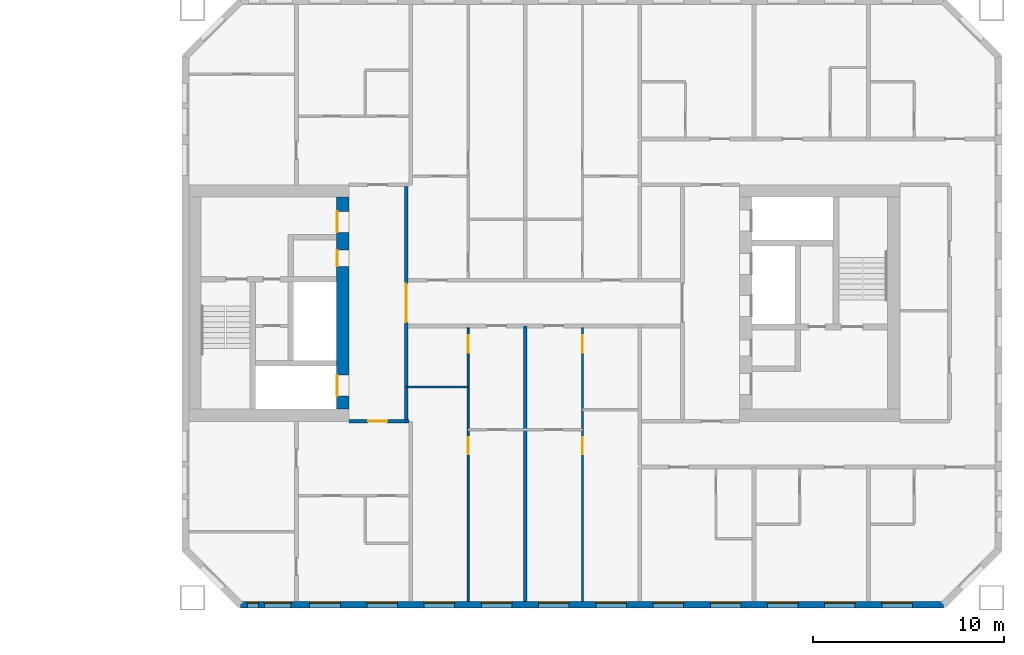
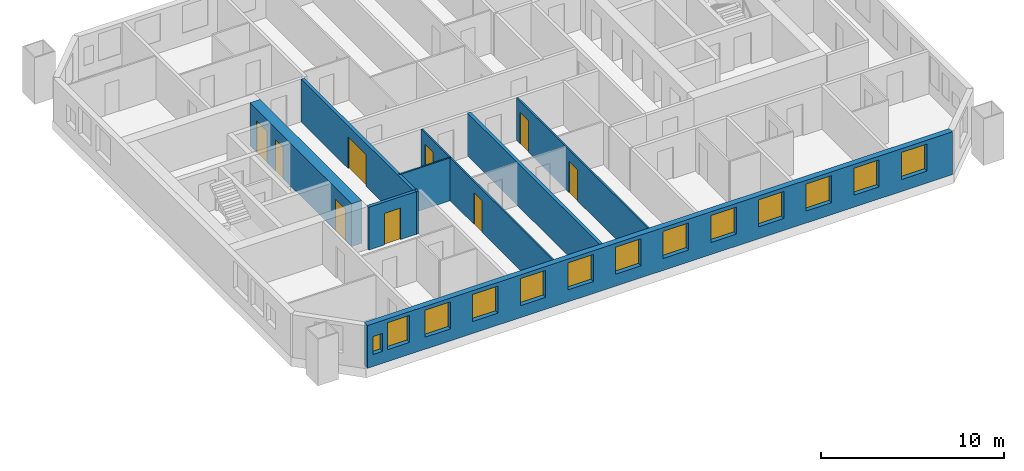
# One storey, part 10 of 16: 13 windows, 9 doors, 9 walls, 22 openings.
"""IFC4 building model written with IfcOpenShell, lengths in metres."""

from ifc_helpers import new_model, si_unit, direction, frame, frame_2d, origin, place, context, subcontext, project, spatial, rectangle, extrude, material, layer, layer_set, type_object, element, fill, save


model = new_model("IFC4")

# Units and contexts
model_context = context("Model", 3, precision=1e-05, world=origin(), true_north=direction((0.0, 1.0)))
body_context = subcontext(model_context, "Body", "Model", "MODEL_VIEW")
ifc_project = project(units=[si_unit("LENGTHUNIT", "METRE"), si_unit("AREAUNIT", "SQUARE_METRE"), si_unit("VOLUMEUNIT", "CUBIC_METRE"), si_unit("PLANEANGLEUNIT", "RADIAN"), si_unit("MASSUNIT", "GRAM", prefix="KILO")], contexts=[model_context])

# Site, building, storey
site_placement = place(None, origin())
site = spatial("IfcSite", under=ifc_project, at=site_placement, CompositionType="ELEMENT")
building_placement = place(site_placement, origin())
building = spatial("IfcBuilding", under=site, at=building_placement, Name="Tuart Gate Housing", CompositionType="ELEMENT")
storey_placement = place(building_placement, frame((0.0, 0.0, 96.39990234375)))
storey = spatial("IfcBuildingStorey", under=building, at=storey_placement, Name="L26", CompositionType="ELEMENT", Elevation=96.39990234375)

# Wall, openings, windows
ifc_material_1 = material(Name="Brick", Category="masonry")
ifc_layer_1 = layer(ifc_material_1, 0.360107421875)
ifc_layer_set_1 = layer_set([ifc_layer_1], Name="Brick pier and spandrel wall 360")
wall_type_1 = type_object("IfcWallType", Name="Brick pier and spandrel wall 360", PredefinedType="STANDARD", material=ifc_layer_set_1)
wall_1_placement = place(storey_placement, frame((134.07470703125, 54.179931640625, 0.0), z_axis=(0.0, 0.0, 1.0), x_axis=(1.0, 0.0, 0.0)))
wall_1 = element("IfcWall", 1, at=wall_1_placement, inside=storey, type_object=wall_type_1, Name="External wall B-S L26", PredefinedType="STANDARD", context=body_context, shape_type="SweptSolid", body=[
    extrude(rectangle(XDim=36.850830078125, YDim=0.360107421875, at=frame_2d((18.42529296875, 0.0))), origin(), (0.0, 0.0, 1.0), 2.85009765625),
])
opening_1_placement = place(wall_1_placement, frame((0.35009765625, 0.0, 0.800048828125)))
opening_1 = element("IfcOpeningElement", 2, at=opening_1_placement, cuts=wall_1, Name="Opening W1Q", PredefinedType="OPENING", context=body_context, shape_type="SweptSolid", body=[
    extrude(rectangle(XDim=0.60009765625, YDim=1.199951171875, at=frame_2d((0.300048828125, 0.60009765625))), frame((0.0, 0.18994140625, 0.0), z_axis=(0.0, -1.0, 0.0), x_axis=(1.0, 0.0, 0.0)), (0.0, 0.0, 1.0), 0.380126953125),
])
opening_2_placement = place(wall_1_placement, frame((3.62548828125, 0.0, 0.800048828125)))
opening_2 = element("IfcOpeningElement", 3, at=opening_2_placement, cuts=wall_1, Name="Opening W1", PredefinedType="OPENING", context=body_context, shape_type="SweptSolid", body=[
    extrude(rectangle(XDim=1.60009765625, YDim=1.800048828125, at=frame_2d((0.800048828125, 0.89990234375))), frame((0.0, 0.18994140625, 0.0), z_axis=(0.0, -1.0, 0.0), x_axis=(1.0, 0.0, 0.0)), (0.0, 0.0, 1.0), 0.380126953125),
])
opening_3_placement = place(wall_1_placement, frame((6.62548828125, 0.0, 0.800048828125)))
opening_3 = element("IfcOpeningElement", 4, at=opening_3_placement, cuts=wall_1, Name="Opening W1", PredefinedType="OPENING", context=body_context, shape_type="SweptSolid", body=[
    extrude(rectangle(XDim=1.60009765625, YDim=1.800048828125, at=frame_2d((0.800048828125, 0.89990234375))), frame((0.0, 0.18994140625, 0.0), z_axis=(0.0, -1.0, 0.0), x_axis=(1.0, 0.0, 0.0)), (0.0, 0.0, 1.0), 0.380126953125),
])
opening_4_placement = place(wall_1_placement, frame((9.62548828125, 0.0, 0.800048828125)))
opening_4 = element("IfcOpeningElement", 5, at=opening_4_placement, cuts=wall_1, Name="Opening W1", PredefinedType="OPENING", context=body_context, shape_type="SweptSolid", body=[
    extrude(rectangle(XDim=1.60009765625, YDim=1.800048828125, at=frame_2d((0.800048828125, 0.89990234375))), frame((0.0, 0.18994140625, 0.0), z_axis=(0.0, -1.0, 0.0), x_axis=(1.0, 0.0, 0.0)), (0.0, 0.0, 1.0), 0.380126953125),
])
opening_5_placement = place(wall_1_placement, frame((12.62548828125, 0.0, 0.800048828125)))
opening_5 = element("IfcOpeningElement", 6, at=opening_5_placement, cuts=wall_1, Name="Opening W1", PredefinedType="OPENING", context=body_context, shape_type="SweptSolid", body=[
    extrude(rectangle(XDim=1.60009765625, YDim=1.800048828125, at=frame_2d((0.800048828125, 0.89990234375))), frame((0.0, 0.18994140625, 0.0), z_axis=(0.0, -1.0, 0.0), x_axis=(1.0, 0.0, 0.0)), (0.0, 0.0, 1.0), 0.380126953125),
])
opening_6_placement = place(wall_1_placement, frame((15.62548828125, 0.0, 0.800048828125)))
opening_6 = element("IfcOpeningElement", 7, at=opening_6_placement, cuts=wall_1, Name="Opening W1", PredefinedType="OPENING", context=body_context, shape_type="SweptSolid", body=[
    extrude(rectangle(XDim=1.60009765625, YDim=1.800048828125, at=frame_2d((0.800048828125, 0.89990234375))), frame((0.0, 0.18994140625, 0.0), z_axis=(0.0, -1.0, 0.0), x_axis=(1.0, 0.0, 0.0)), (0.0, 0.0, 1.0), 0.380126953125),
])
opening_7_placement = place(wall_1_placement, frame((18.62548828125, 0.0, 0.800048828125)))
opening_7 = element("IfcOpeningElement", 8, at=opening_7_placement, cuts=wall_1, Name="Opening W1", PredefinedType="OPENING", context=body_context, shape_type="SweptSolid", body=[
    extrude(rectangle(XDim=1.60009765625, YDim=1.800048828125, at=frame_2d((0.800048828125, 0.89990234375))), frame((0.0, 0.18994140625, 0.0), z_axis=(0.0, -1.0, 0.0), x_axis=(1.0, 0.0, 0.0)), (0.0, 0.0, 1.0), 0.380126953125),
])
opening_8_placement = place(wall_1_placement, frame((21.62548828125, 0.0, 0.800048828125)))
opening_8 = element("IfcOpeningElement", 9, at=opening_8_placement, cuts=wall_1, Name="Opening W1", PredefinedType="OPENING", context=body_context, shape_type="SweptSolid", body=[
    extrude(rectangle(XDim=1.60009765625, YDim=1.800048828125, at=frame_2d((0.800048828125, 0.89990234375))), frame((0.0, 0.18994140625, 0.0), z_axis=(0.0, -1.0, 0.0), x_axis=(1.0, 0.0, 0.0)), (0.0, 0.0, 1.0), 0.380126953125),
])
opening_9_placement = place(wall_1_placement, frame((24.62548828125, 0.0, 0.800048828125)))
opening_9 = element("IfcOpeningElement", 10, at=opening_9_placement, cuts=wall_1, Name="Opening W1", PredefinedType="OPENING", context=body_context, shape_type="SweptSolid", body=[
    extrude(rectangle(XDim=1.60009765625, YDim=1.800048828125, at=frame_2d((0.800048828125, 0.89990234375))), frame((0.0, 0.18994140625, 0.0), z_axis=(0.0, -1.0, 0.0), x_axis=(1.0, 0.0, 0.0)), (0.0, 0.0, 1.0), 0.380126953125),
])
opening_10_placement = place(wall_1_placement, frame((27.62548828125, 0.0, 0.800048828125)))
opening_10 = element("IfcOpeningElement", 11, at=opening_10_placement, cuts=wall_1, Name="Opening W1", PredefinedType="OPENING", context=body_context, shape_type="SweptSolid", body=[
    extrude(rectangle(XDim=1.60009765625, YDim=1.800048828125, at=frame_2d((0.800048828125, 0.89990234375))), frame((0.0, 0.18994140625, 0.0), z_axis=(0.0, -1.0, 0.0), x_axis=(1.0, 0.0, 0.0)), (0.0, 0.0, 1.0), 0.380126953125),
])
opening_11_placement = place(wall_1_placement, frame((30.62548828125, 0.0, 0.800048828125)))
opening_11 = element("IfcOpeningElement", 12, at=opening_11_placement, cuts=wall_1, Name="Opening W1", PredefinedType="OPENING", context=body_context, shape_type="SweptSolid", body=[
    extrude(rectangle(XDim=1.60009765625, YDim=1.800048828125, at=frame_2d((0.800048828125, 0.89990234375))), frame((0.0, 0.18994140625, 0.0), z_axis=(0.0, -1.0, 0.0), x_axis=(1.0, 0.0, 0.0)), (0.0, 0.0, 1.0), 0.380126953125),
])
opening_12_placement = place(wall_1_placement, frame((33.62548828125, 0.0, 0.800048828125)))
opening_12 = element("IfcOpeningElement", 13, at=opening_12_placement, cuts=wall_1, Name="Opening W1", PredefinedType="OPENING", context=body_context, shape_type="SweptSolid", body=[
    extrude(rectangle(XDim=1.60009765625, YDim=1.800048828125, at=frame_2d((0.800048828125, 0.89990234375))), frame((0.0, 0.18994140625, 0.0), z_axis=(0.0, -1.0, 0.0), x_axis=(1.0, 0.0, 0.0)), (0.0, 0.0, 1.0), 0.380126953125),
])
opening_13_placement = place(wall_1_placement, frame((1.25, 0.0, 0.800048828125)))
opening_13 = element("IfcOpeningElement", 14, at=opening_13_placement, cuts=wall_1, Name="Opening W1A", PredefinedType="OPENING", context=body_context, shape_type="SweptSolid", body=[
    extrude(rectangle(XDim=1.39990234375, YDim=1.800048828125, at=frame_2d((0.699951171875, 0.89990234375))), frame((0.0, 0.18994140625, 0.0), z_axis=(0.0, -1.0, 0.0), x_axis=(1.0, 0.0, 0.0)), (0.0, 0.0, 1.0), 0.380126953125),
])
ifc_material_2 = material(Name="Aluminium frame with clear glass", Category="aluminium")
window_type_1 = type_object("IfcWindowType", Name="Punched window 1400 x 1800", PartitioningType="SINGLE_PANEL", PredefinedType="WINDOW", material=ifc_material_2)
window_1_placement = place(opening_13_placement, origin())
window_1 = element("IfcWindow", 15, at=window_1_placement, inside=storey, type_object=window_type_1, Name="Window W1A", OverallHeight=1.800048828125, OverallWidth=1.39990234375, PartitioningType="SINGLE_PANEL", PredefinedType="WINDOW", context=body_context, shape_type="SweptSolid", body=[
    extrude(rectangle(XDim=1.39990234375, YDim=1.800048828125, at=frame_2d((0.699951171875, 0.89990234375))), frame((0.0, 0.150146484375, 0.0), z_axis=(0.0, -1.0, 0.0), x_axis=(1.0, 0.0, 0.0)), (0.0, 0.0, 1.0), 0.06005859375),
])
fill(opening_13, window_1)
ifc_material_3 = material(Name="Aluminium frame with clear glass", Category="aluminium")
window_type_2 = type_object("IfcWindowType", Name="Punched window 1600 x 1800", PartitioningType="SINGLE_PANEL", PredefinedType="WINDOW", material=ifc_material_3)
window_2_placement = place(opening_2_placement, origin())
window_2 = element("IfcWindow", 16, at=window_2_placement, inside=storey, type_object=window_type_2, Name="Window W1", OverallHeight=1.800048828125, OverallWidth=1.60009765625, PartitioningType="SINGLE_PANEL", PredefinedType="WINDOW", context=body_context, shape_type="SweptSolid", body=[
    extrude(rectangle(XDim=1.60009765625, YDim=1.800048828125, at=frame_2d((0.800048828125, 0.89990234375))), frame((0.0, 0.150146484375, 0.0), z_axis=(0.0, -1.0, 0.0), x_axis=(1.0, 0.0, 0.0)), (0.0, 0.0, 1.0), 0.06005859375),
])
fill(opening_2, window_2)
window_3_placement = place(opening_3_placement, origin())
window_3 = element("IfcWindow", 17, at=window_3_placement, inside=storey, type_object=window_type_2, Name="Window W1", OverallHeight=1.800048828125, OverallWidth=1.60009765625, PartitioningType="SINGLE_PANEL", PredefinedType="WINDOW", context=body_context, shape_type="SweptSolid", body=[
    extrude(rectangle(XDim=1.60009765625, YDim=1.800048828125, at=frame_2d((0.800048828125, 0.89990234375))), frame((0.0, 0.150146484375, 0.0), z_axis=(0.0, -1.0, 0.0), x_axis=(1.0, 0.0, 0.0)), (0.0, 0.0, 1.0), 0.06005859375),
])
fill(opening_3, window_3)
window_4_placement = place(opening_4_placement, origin())
window_4 = element("IfcWindow", 18, at=window_4_placement, inside=storey, type_object=window_type_2, Name="Window W1", OverallHeight=1.800048828125, OverallWidth=1.60009765625, PartitioningType="SINGLE_PANEL", PredefinedType="WINDOW", context=body_context, shape_type="SweptSolid", body=[
    extrude(rectangle(XDim=1.60009765625, YDim=1.800048828125, at=frame_2d((0.800048828125, 0.89990234375))), frame((0.0, 0.150146484375, 0.0), z_axis=(0.0, -1.0, 0.0), x_axis=(1.0, 0.0, 0.0)), (0.0, 0.0, 1.0), 0.06005859375),
])
fill(opening_4, window_4)
window_5_placement = place(opening_5_placement, origin())
window_5 = element("IfcWindow", 19, at=window_5_placement, inside=storey, type_object=window_type_2, Name="Window W1", OverallHeight=1.800048828125, OverallWidth=1.60009765625, PartitioningType="SINGLE_PANEL", PredefinedType="WINDOW", context=body_context, shape_type="SweptSolid", body=[
    extrude(rectangle(XDim=1.60009765625, YDim=1.800048828125, at=frame_2d((0.800048828125, 0.89990234375))), frame((0.0, 0.150146484375, 0.0), z_axis=(0.0, -1.0, 0.0), x_axis=(1.0, 0.0, 0.0)), (0.0, 0.0, 1.0), 0.06005859375),
])
fill(opening_5, window_5)
window_6_placement = place(opening_6_placement, origin())
window_6 = element("IfcWindow", 20, at=window_6_placement, inside=storey, type_object=window_type_2, Name="Window W1", OverallHeight=1.800048828125, OverallWidth=1.60009765625, PartitioningType="SINGLE_PANEL", PredefinedType="WINDOW", context=body_context, shape_type="SweptSolid", body=[
    extrude(rectangle(XDim=1.60009765625, YDim=1.800048828125, at=frame_2d((0.800048828125, 0.89990234375))), frame((0.0, 0.150146484375, 0.0), z_axis=(0.0, -1.0, 0.0), x_axis=(1.0, 0.0, 0.0)), (0.0, 0.0, 1.0), 0.06005859375),
])
fill(opening_6, window_6)
window_7_placement = place(opening_7_placement, origin())
window_7 = element("IfcWindow", 21, at=window_7_placement, inside=storey, type_object=window_type_2, Name="Window W1", OverallHeight=1.800048828125, OverallWidth=1.60009765625, PartitioningType="SINGLE_PANEL", PredefinedType="WINDOW", context=body_context, shape_type="SweptSolid", body=[
    extrude(rectangle(XDim=1.60009765625, YDim=1.800048828125, at=frame_2d((0.800048828125, 0.89990234375))), frame((0.0, 0.150146484375, 0.0), z_axis=(0.0, -1.0, 0.0), x_axis=(1.0, 0.0, 0.0)), (0.0, 0.0, 1.0), 0.06005859375),
])
fill(opening_7, window_7)
window_8_placement = place(opening_8_placement, origin())
window_8 = element("IfcWindow", 22, at=window_8_placement, inside=storey, type_object=window_type_2, Name="Window W1", OverallHeight=1.800048828125, OverallWidth=1.60009765625, PartitioningType="SINGLE_PANEL", PredefinedType="WINDOW", context=body_context, shape_type="SweptSolid", body=[
    extrude(rectangle(XDim=1.60009765625, YDim=1.800048828125, at=frame_2d((0.800048828125, 0.89990234375))), frame((0.0, 0.150146484375, 0.0), z_axis=(0.0, -1.0, 0.0), x_axis=(1.0, 0.0, 0.0)), (0.0, 0.0, 1.0), 0.06005859375),
])
fill(opening_8, window_8)
window_9_placement = place(opening_9_placement, origin())
window_9 = element("IfcWindow", 23, at=window_9_placement, inside=storey, type_object=window_type_2, Name="Window W1", OverallHeight=1.800048828125, OverallWidth=1.60009765625, PartitioningType="SINGLE_PANEL", PredefinedType="WINDOW", context=body_context, shape_type="SweptSolid", body=[
    extrude(rectangle(XDim=1.60009765625, YDim=1.800048828125, at=frame_2d((0.800048828125, 0.89990234375))), frame((0.0, 0.150146484375, 0.0), z_axis=(0.0, -1.0, 0.0), x_axis=(1.0, 0.0, 0.0)), (0.0, 0.0, 1.0), 0.06005859375),
])
fill(opening_9, window_9)
window_10_placement = place(opening_10_placement, origin())
window_10 = element("IfcWindow", 24, at=window_10_placement, inside=storey, type_object=window_type_2, Name="Window W1", OverallHeight=1.800048828125, OverallWidth=1.60009765625, PartitioningType="SINGLE_PANEL", PredefinedType="WINDOW", context=body_context, shape_type="SweptSolid", body=[
    extrude(rectangle(XDim=1.60009765625, YDim=1.800048828125, at=frame_2d((0.800048828125, 0.89990234375))), frame((0.0, 0.150146484375, 0.0), z_axis=(0.0, -1.0, 0.0), x_axis=(1.0, 0.0, 0.0)), (0.0, 0.0, 1.0), 0.06005859375),
])
fill(opening_10, window_10)
window_11_placement = place(opening_11_placement, origin())
window_11 = element("IfcWindow", 25, at=window_11_placement, inside=storey, type_object=window_type_2, Name="Window W1", OverallHeight=1.800048828125, OverallWidth=1.60009765625, PartitioningType="SINGLE_PANEL", PredefinedType="WINDOW", context=body_context, shape_type="SweptSolid", body=[
    extrude(rectangle(XDim=1.60009765625, YDim=1.800048828125, at=frame_2d((0.800048828125, 0.89990234375))), frame((0.0, 0.150146484375, 0.0), z_axis=(0.0, -1.0, 0.0), x_axis=(1.0, 0.0, 0.0)), (0.0, 0.0, 1.0), 0.06005859375),
])
fill(opening_11, window_11)
window_12_placement = place(opening_12_placement, origin())
window_12 = element("IfcWindow", 26, at=window_12_placement, inside=storey, type_object=window_type_2, Name="Window W1", OverallHeight=1.800048828125, OverallWidth=1.60009765625, PartitioningType="SINGLE_PANEL", PredefinedType="WINDOW", context=body_context, shape_type="SweptSolid", body=[
    extrude(rectangle(XDim=1.60009765625, YDim=1.800048828125, at=frame_2d((0.800048828125, 0.89990234375))), frame((0.0, 0.150146484375, 0.0), z_axis=(0.0, -1.0, 0.0), x_axis=(1.0, 0.0, 0.0)), (0.0, 0.0, 1.0), 0.06005859375),
])
fill(opening_12, window_12)
ifc_material_4 = material(Name="Aluminium frame with clear glass", Category="aluminium")
window_type_3 = type_object("IfcWindowType", Name="Punched window 600 x 1200", PartitioningType="SINGLE_PANEL", PredefinedType="WINDOW", material=ifc_material_4)
window_13_placement = place(opening_1_placement, origin())
window_13 = element("IfcWindow", 27, at=window_13_placement, inside=storey, type_object=window_type_3, Name="Window W1Q", OverallHeight=1.199951171875, OverallWidth=0.60009765625, PartitioningType="SINGLE_PANEL", PredefinedType="WINDOW", context=body_context, shape_type="SweptSolid", body=[
    extrude(rectangle(XDim=0.60009765625, YDim=1.199951171875, at=frame_2d((0.300048828125, 0.60009765625))), frame((0.0, 0.150146484375, 0.0), z_axis=(0.0, -1.0, 0.0), x_axis=(1.0, 0.0, 0.0)), (0.0, 0.0, 1.0), 0.06005859375),
])
fill(opening_1, window_13)

# Wall, openings, doors
ifc_material_5 = material(Name="Concrete C50", Category="concrete")
ifc_layer_2 = layer(ifc_material_5, 0.64990234375)
ifc_layer_set_2 = layer_set([ifc_layer_2], Name="Core wall 650 C50")
wall_type_2 = type_object("IfcWallType", Name="Core wall 650 C50", PredefinedType="SHEAR", material=ifc_layer_set_2)
wall_2_placement = place(storey_placement, frame((139.43505859375, 64.449951171875, 0.0), z_axis=(0.0, 0.0, 1.0), x_axis=(0.0, 1.0, 0.0)))
wall_2 = element("IfcWall", 28, at=wall_2_placement, inside=storey, type_object=wall_type_2, Name="Core wall BG front", PredefinedType="SHEAR", context=body_context, shape_type="SweptSolid", body=[
    extrude(rectangle(XDim=11.10009765625, YDim=0.64990234375, at=frame_2d((5.550048828125, 0.0))), origin(), (0.0, 0.0, 1.0), 2.85009765625),
])
opening_14_placement = place(wall_2_placement, frame((0.675048828125, 0.0, 0.0)))
opening_14 = element("IfcOpeningElement", 29, at=opening_14_placement, cuts=wall_2, Name="Opening LD-FB1", PredefinedType="OPENING", context=body_context, shape_type="SweptSolid", body=[
    extrude(rectangle(XDim=1.10009765625, YDim=2.10009765625, at=frame_2d((0.550048828125, 1.050048828125))), frame((0.0, 0.3349609375, 0.0), z_axis=(0.0, -1.0, 0.0), x_axis=(1.0, 0.0, 0.0)), (0.0, 0.0, 1.0), 0.669921875),
])
opening_15_placement = place(wall_2_placement, frame((9.25, 0.0, 0.0)))
opening_15 = element("IfcOpeningElement", 30, at=opening_15_placement, cuts=wall_2, Name="Opening D1147", PredefinedType="OPENING", context=body_context, shape_type="SweptSolid", body=[
    extrude(rectangle(XDim=1.10009765625, YDim=2.10009765625, at=frame_2d((0.550048828125, 1.050048828125))), frame((0.0, 0.3349609375, 0.0), z_axis=(0.0, -1.0, 0.0), x_axis=(1.0, 0.0, 0.0)), (0.0, 0.0, 1.0), 0.669921875),
])
opening_16_placement = place(wall_2_placement, frame((7.47509765625, 0.0, 0.0)))
opening_16 = element("IfcOpeningElement", 31, at=opening_16_placement, cuts=wall_2, Name="Opening D1148", PredefinedType="OPENING", context=body_context, shape_type="SweptSolid", body=[
    extrude(rectangle(XDim=0.85009765625, YDim=2.10009765625, at=frame_2d((0.425048828125, 1.050048828125))), frame((0.0, 0.3349609375, 0.0), z_axis=(0.0, -1.0, 0.0), x_axis=(1.0, 0.0, 0.0)), (0.0, 0.0, 1.0), 0.669921875),
])
ifc_material_6 = material(Name="Stainless steel", Category="steel")
door_type_1 = type_object("IfcDoorType", Name="Landing door 1100 x 2100", OperationType="DOUBLE_DOOR_SLIDING", PredefinedType="DOOR", material=ifc_material_6)
door_1_placement = place(opening_14_placement, origin())
door_1 = element("IfcDoor", 32, at=door_1_placement, inside=storey, type_object=door_type_1, Name="Lift landing door FB1", OperationType="DOUBLE_DOOR_SLIDING", OverallHeight=2.10009765625, OverallWidth=1.10009765625, PredefinedType="DOOR", context=body_context, shape_type="SweptSolid", body=[
    extrude(rectangle(XDim=1.10009765625, YDim=2.10009765625, at=frame_2d((0.550048828125, 1.050048828125))), frame((0.0, 0.31005859375, 0.0), z_axis=(0.0, -1.0, 0.0), x_axis=(1.0, 0.0, 0.0)), (0.0, 0.0, 1.0), 0.050048828125),
])
fill(opening_14, door_1)
ifc_material_7 = material(Name="Steel fire door", Category="steel")
door_type_2 = type_object("IfcDoorType", Name="Lobby door 1100 x 2100", OperationType="SINGLE_SWING_LEFT", PredefinedType="DOOR", material=ifc_material_7)
door_2_placement = place(opening_15_placement, origin())
door_2 = element("IfcDoor", 33, at=door_2_placement, inside=storey, type_object=door_type_2, Name="Lobby entry door BG.EN", OperationType="SINGLE_SWING_LEFT", OverallHeight=2.10009765625, OverallWidth=1.10009765625, PredefinedType="DOOR", context=body_context, shape_type="SweptSolid", body=[
    extrude(rectangle(XDim=1.10009765625, YDim=2.10009765625, at=frame_2d((0.550048828125, 1.050048828125))), frame((0.0, 0.31005859375, 0.0), z_axis=(0.0, -1.0, 0.0), x_axis=(1.0, 0.0, 0.0)), (0.0, 0.0, 1.0), 0.050048828125),
])
fill(opening_15, door_2)
ifc_material_8 = material(Name="Steel fire door", Category="steel")
door_type_3 = type_object("IfcDoorType", Name="Service door 850 x 2100", OperationType="SINGLE_SWING_LEFT", PredefinedType="DOOR", material=ifc_material_8)
door_3_placement = place(opening_16_placement, origin())
door_3 = element("IfcDoor", 34, at=door_3_placement, inside=storey, type_object=door_type_3, Name="Service room door BG.T1", OperationType="SINGLE_SWING_LEFT", OverallHeight=2.10009765625, OverallWidth=0.85009765625, PredefinedType="DOOR", context=body_context, shape_type="SweptSolid", body=[
    extrude(rectangle(XDim=0.85009765625, YDim=2.10009765625, at=frame_2d((0.425048828125, 1.050048828125))), frame((0.0, 0.31005859375, 0.0), z_axis=(0.0, -1.0, 0.0), x_axis=(1.0, 0.0, 0.0)), (0.0, 0.0, 1.0), 0.050048828125),
])
fill(opening_16, door_3)

# Wall, opening, door
ifc_material_9 = material(Name="Concrete masonry 15 MPa", Category="masonry")
ifc_layer_3 = layer(ifc_material_9, 0.199951171875)
ifc_layer_set_3 = layer_set([ifc_layer_3], Name="Enclosure wall masonry 200")
wall_type_3 = type_object("IfcWallType", Name="Enclosure wall masonry 200", PredefinedType="PARTITIONING", material=ifc_layer_set_3)
wall_3_placement = place(storey_placement, frame((139.760009765625, 63.800048828125, 0.0), z_axis=(0.0, 0.0, 1.0), x_axis=(1.0, 0.0, 0.0)))
wall_3 = element("IfcWall", 35, at=wall_3_placement, inside=storey, type_object=wall_type_3, Name="Enclosure wall masonry 200", PredefinedType="PARTITIONING", context=body_context, shape_type="SweptSolid", body=[
    extrude(rectangle(XDim=3.0, YDim=0.199951171875, at=frame_2d((1.5, 0.0))), origin(), (0.0, 0.0, 1.0), 2.85009765625),
])
opening_17_placement = place(wall_3_placement, frame((1.0, 0.0, 0.0)))
opening_17 = element("IfcOpeningElement", 36, at=opening_17_placement, cuts=wall_3, Name="Opening D1160", PredefinedType="OPENING", context=body_context, shape_type="SweptSolid", body=[
    extrude(rectangle(XDim=1.0, YDim=2.10009765625, at=frame_2d((0.5, 1.050048828125))), frame((0.0, 0.10986328125, 0.0), z_axis=(0.0, -1.0, 0.0), x_axis=(1.0, 0.0, 0.0)), (0.0, 0.0, 1.0), 0.219970703125),
])
ifc_material_10 = material(Name="Timber door leaf in steel frame", Category="steel")
door_type_4 = type_object("IfcDoorType", Name="Flat entrance door 1000", OperationType="SINGLE_SWING_LEFT", PredefinedType="DOOR", material=ifc_material_10)
door_4_placement = place(opening_17_placement, frame((1.0, 0.0, 0.0), z_axis=(0.0, 0.0, 1.0), x_axis=(-1.0, 0.0, 0.0)))
door_4 = element("IfcDoor", 37, at=door_4_placement, inside=storey, type_object=door_type_4, Name="Flat entrance door", OperationType="SINGLE_SWING_LEFT", OverallHeight=2.10009765625, OverallWidth=1.0, PredefinedType="DOOR", context=body_context, shape_type="SweptSolid", body=[
    extrude(rectangle(XDim=1.0, YDim=2.10009765625, at=frame_2d((0.5, 1.050048828125))), frame((0.0, 0.025146484375, 0.0), z_axis=(0.0, -1.0, 0.0), x_axis=(1.0, 0.0, 0.0)), (0.0, 0.0, 1.0), 0.050048828125),
])
fill(opening_17, door_4)

ifc_material_11 = material(Name="Plasterboard partition")
ifc_layer_4 = layer(ifc_material_11, 0.199951171875)
ifc_layer_set_4 = layer_set([ifc_layer_4], Name="Lobby wall 200")
wall_type_4 = type_object("IfcWallType", Name="Lobby wall 200", PredefinedType="PARTITIONING", material=ifc_layer_set_4)
wall_4_placement = place(storey_placement, frame((142.760009765625, 63.89990234375, 0.0), z_axis=(0.0, 0.0, 1.0), x_axis=(0.0, 1.0, 0.0)))
wall_4 = element("IfcWall", 38, at=wall_4_placement, inside=storey, type_object=wall_type_4, Name="Lift lobby wall BG", PredefinedType="PARTITIONING", context=body_context, shape_type="SweptSolid", body=[
    extrude(rectangle(XDim=12.2001953125, YDim=0.199951171875, at=frame_2d((6.10009765625, 0.0))), origin(), (0.0, 0.0, 1.0), 2.85009765625),
])
opening_18_placement = place(wall_4_placement, frame((5.10009765625, 0.0, 0.0)))
opening_18 = element("IfcOpeningElement", 39, at=opening_18_placement, cuts=wall_4, Name="Opening D1149", PredefinedType="OPENING", context=body_context, shape_type="SweptSolid", body=[
    extrude(rectangle(XDim=2.0, YDim=2.10009765625, at=frame_2d((1.0, 1.050048828125))), frame((0.0, 0.10986328125, 0.0), z_axis=(0.0, -1.0, 0.0), x_axis=(1.0, 0.0, 0.0)), (0.0, 0.0, 1.0), 0.219970703125),
])
ifc_material_12 = material(Name="Steel fire door", Category="steel")
door_type_5 = type_object("IfcDoorType", Name="Smoke door 2000 x 2100", OperationType="DOUBLE_DOOR_SINGLE_SWING", PredefinedType="DOOR", material=ifc_material_12)
door_5_placement = place(opening_18_placement, origin())
door_5 = element("IfcDoor", 40, at=door_5_placement, inside=storey, type_object=door_type_5, Name="Lift lobby smoke door BG", OperationType="DOUBLE_DOOR_SINGLE_SWING", OverallHeight=2.10009765625, OverallWidth=2.0, PredefinedType="DOOR", context=body_context, shape_type="SweptSolid", body=[
    extrude(rectangle(XDim=2.0, YDim=2.10009765625, at=frame_2d((1.0, 1.050048828125))), frame((0.0, 0.02490234375, 0.0), z_axis=(0.0, -1.0, 0.0), x_axis=(1.0, 0.0, 0.0)), (0.0, 0.0, 1.0), 0.050048828125),
])
fill(opening_18, door_5)

# Wall
ifc_material_13 = material(Name="Gypsum board on steel studs", Category="steel")
ifc_layer_5 = layer(ifc_material_13, 0.10009765625)
ifc_layer_set_5 = layer_set([ifc_layer_5], Name="Partition 100")
wall_type_5 = type_object("IfcWallType", Name="Partition 100", PredefinedType="PARTITIONING", material=ifc_layer_set_5)
wall_5_placement = place(storey_placement, frame((142.760009765625, 65.60009765625, 0.0), z_axis=(0.0, 0.0, 1.0), x_axis=(1.0, 0.0, 0.0)))
element("IfcWall", 41, at=wall_5_placement, inside=storey, type_object=wall_type_5, Name="Partition 100", PredefinedType="PARTITIONING", context=body_context, shape_type="SweptSolid", body=[
    extrude(rectangle(XDim=3.239990234375, YDim=0.10009765625, at=frame_2d((1.6201171875, 0.0))), origin(), (0.0, 0.0, 1.0), 2.85009765625),
])

# Wall, openings, doors
wall_6_placement = place(storey_placement, frame((146.0, 54.360107421875, 0.0), z_axis=(0.0, 0.0, 1.0), x_axis=(0.0, 1.0, 0.0)))
wall_6 = element("IfcWall", 42, at=wall_6_placement, inside=storey, type_object=wall_type_5, Name="Partition 100", PredefinedType="PARTITIONING", context=body_context, shape_type="SweptSolid", body=[
    extrude(rectangle(XDim=14.33984375, YDim=0.10009765625, at=frame_2d((7.169921875, 0.0))), origin(), (0.0, 0.0, 1.0), 2.85009765625),
])
opening_19_placement = place(wall_6_placement, frame((7.699951171875, 0.0, 0.0)))
opening_19 = element("IfcOpeningElement", 43, at=opening_19_placement, cuts=wall_6, Name="Opening D1165", PredefinedType="OPENING", context=body_context, shape_type="SweptSolid", body=[
    extrude(rectangle(XDim=0.89990234375, YDim=2.10009765625, at=frame_2d((0.449951171875, 1.050048828125))), frame((0.0, 0.06005859375, 0.0), z_axis=(0.0, -1.0, 0.0), x_axis=(1.0, 0.0, 0.0)), (0.0, 0.0, 1.0), 0.1201171875),
])
opening_20_placement = place(wall_6_placement, frame((13.0400390625, 0.0, 0.0)))
opening_20 = element("IfcOpeningElement", 44, at=opening_20_placement, cuts=wall_6, Name="Opening D1164", PredefinedType="OPENING", context=body_context, shape_type="SweptSolid", body=[
    extrude(rectangle(XDim=0.89990234375, YDim=2.10009765625, at=frame_2d((0.449951171875, 1.050048828125))), frame((0.0, 0.06005859375, 0.0), z_axis=(0.0, -1.0, 0.0), x_axis=(1.0, 0.0, 0.0)), (0.0, 0.0, 1.0), 0.1201171875),
])
ifc_material_14 = material(Name="Timber door leaf in steel frame", Category="steel")
door_type_6 = type_object("IfcDoorType", Name="Bathroom door 900 RH", OperationType="SINGLE_SWING_RIGHT", PredefinedType="DOOR", material=ifc_material_14)
door_6_placement = place(opening_20_placement, origin())
door_6 = element("IfcDoor", 45, at=door_6_placement, inside=storey, type_object=door_type_6, Name="Bathroom door", OperationType="SINGLE_SWING_RIGHT", OverallHeight=2.10009765625, OverallWidth=0.89990234375, PredefinedType="DOOR", context=body_context, shape_type="SweptSolid", body=[
    extrude(rectangle(XDim=0.89990234375, YDim=2.10009765625, at=frame_2d((0.449951171875, 1.050048828125))), frame((0.0, 0.02490234375, 0.0), z_axis=(0.0, -1.0, 0.0), x_axis=(1.0, 0.0, 0.0)), (0.0, 0.0, 1.0), 0.050048828125),
])
fill(opening_20, door_6)
ifc_material_15 = material(Name="Timber door leaf in steel frame", Category="steel")
door_type_7 = type_object("IfcDoorType", Name="Internal door 900 RH", OperationType="SINGLE_SWING_RIGHT", PredefinedType="DOOR", material=ifc_material_15)
door_7_placement = place(opening_19_placement, origin())
door_7 = element("IfcDoor", 46, at=door_7_placement, inside=storey, type_object=door_type_7, Name="Internal door", OperationType="SINGLE_SWING_RIGHT", OverallHeight=2.10009765625, OverallWidth=0.89990234375, PredefinedType="DOOR", context=body_context, shape_type="SweptSolid", body=[
    extrude(rectangle(XDim=0.89990234375, YDim=2.10009765625, at=frame_2d((0.449951171875, 1.050048828125))), frame((0.0, 0.02490234375, 0.0), z_axis=(0.0, -1.0, 0.0), x_axis=(1.0, 0.0, 0.0)), (0.0, 0.0, 1.0), 0.050048828125),
])
fill(opening_19, door_7)

wall_7_placement = place(storey_placement, frame((152.0, 54.360107421875, 0.0), z_axis=(0.0, 0.0, 1.0), x_axis=(0.0, 1.0, 0.0)))
wall_7 = element("IfcWall", 47, at=wall_7_placement, inside=storey, type_object=wall_type_5, Name="Partition 100", PredefinedType="PARTITIONING", context=body_context, shape_type="SweptSolid", body=[
    extrude(rectangle(XDim=14.33984375, YDim=0.10009765625, at=frame_2d((7.169921875, 0.0))), origin(), (0.0, 0.0, 1.0), 2.85009765625),
])
opening_21_placement = place(wall_7_placement, frame((7.699951171875, 0.0, 0.0)))
opening_21 = element("IfcOpeningElement", 48, at=opening_21_placement, cuts=wall_7, Name="Opening D1167", PredefinedType="OPENING", context=body_context, shape_type="SweptSolid", body=[
    extrude(rectangle(XDim=0.89990234375, YDim=2.10009765625, at=frame_2d((0.449951171875, 1.050048828125))), frame((0.0, 0.06005859375, 0.0), z_axis=(0.0, -1.0, 0.0), x_axis=(1.0, 0.0, 0.0)), (0.0, 0.0, 1.0), 0.1201171875),
])
opening_22_placement = place(wall_7_placement, frame((13.0400390625, 0.0, 0.0)))
opening_22 = element("IfcOpeningElement", 49, at=opening_22_placement, cuts=wall_7, Name="Opening D1166", PredefinedType="OPENING", context=body_context, shape_type="SweptSolid", body=[
    extrude(rectangle(XDim=0.89990234375, YDim=2.10009765625, at=frame_2d((0.449951171875, 1.050048828125))), frame((0.0, 0.06005859375, 0.0), z_axis=(0.0, -1.0, 0.0), x_axis=(1.0, 0.0, 0.0)), (0.0, 0.0, 1.0), 0.1201171875),
])
ifc_material_16 = material(Name="Timber door leaf in steel frame", Category="steel")
door_type_8 = type_object("IfcDoorType", Name="Bathroom door 900", OperationType="SINGLE_SWING_LEFT", PredefinedType="DOOR", material=ifc_material_16)
door_8_placement = place(opening_22_placement, frame((0.89990234375, 0.0, 0.0), z_axis=(0.0, 0.0, 1.0), x_axis=(-1.0, 0.0, 0.0)))
door_8 = element("IfcDoor", 50, at=door_8_placement, inside=storey, type_object=door_type_8, Name="Bathroom door", OperationType="SINGLE_SWING_LEFT", OverallHeight=2.10009765625, OverallWidth=0.89990234375, PredefinedType="DOOR", context=body_context, shape_type="SweptSolid", body=[
    extrude(rectangle(XDim=0.89990234375, YDim=2.10009765625, at=frame_2d((0.449951171875, 1.050048828125))), frame((0.0, 0.025146484375, 0.0), z_axis=(0.0, -1.0, 0.0), x_axis=(1.0, 0.0, 0.0)), (0.0, 0.0, 1.0), 0.050048828125),
])
fill(opening_22, door_8)
ifc_material_17 = material(Name="Timber door leaf in steel frame", Category="steel")
door_type_9 = type_object("IfcDoorType", Name="Internal door 900", OperationType="SINGLE_SWING_LEFT", PredefinedType="DOOR", material=ifc_material_17)
door_9_placement = place(opening_21_placement, frame((0.89990234375, 0.0, 0.0), z_axis=(0.0, 0.0, 1.0), x_axis=(-1.0, 0.0, 0.0)))
door_9 = element("IfcDoor", 51, at=door_9_placement, inside=storey, type_object=door_type_9, Name="Internal door", OperationType="SINGLE_SWING_LEFT", OverallHeight=2.10009765625, OverallWidth=0.89990234375, PredefinedType="DOOR", context=body_context, shape_type="SweptSolid", body=[
    extrude(rectangle(XDim=0.89990234375, YDim=2.10009765625, at=frame_2d((0.449951171875, 1.050048828125))), frame((0.0, 0.025146484375, 0.0), z_axis=(0.0, -1.0, 0.0), x_axis=(1.0, 0.0, 0.0)), (0.0, 0.0, 1.0), 0.050048828125),
])
fill(opening_21, door_9)

# Walls
ifc_material_18 = material(Name="Concrete C40", Category="concrete")
ifc_layer_6 = layer(ifc_material_18, 0.199951171875)
ifc_layer_set_6 = layer_set([ifc_layer_6], Name="Party wall concrete C40 200")
wall_type_6 = type_object("IfcWallType", Name="Party wall concrete C40 200", PredefinedType="SOLIDWALL", material=ifc_layer_set_6)
wall_8_placement = place(storey_placement, frame((149.0, 54.360107421875, 0.0), z_axis=(0.0, 0.0, 1.0), x_axis=(0.0, 1.0, 0.0)))
element("IfcWall", 52, at=wall_8_placement, inside=storey, type_object=wall_type_6, Name="Party wall concrete C40 200", PredefinedType="SOLIDWALL", context=body_context, shape_type="SweptSolid", body=[
    extrude(rectangle(XDim=14.43994140625, YDim=0.199951171875, at=frame_2d((7.219970703125, 0.0))), origin(), (0.0, 0.0, 1.0), 2.85009765625),
])
ifc_material_19 = material(Name="Concrete masonry 15 MPa", Category="masonry")
ifc_layer_7 = layer(ifc_material_19, 0.199951171875)
ifc_layer_set_7 = layer_set([ifc_layer_7], Name="Party wall masonry 200")
wall_type_7 = type_object("IfcWallType", Name="Party wall masonry 200", PredefinedType="PARTITIONING", material=ifc_layer_set_7)
wall_9_placement = place(storey_placement, frame((142.760009765625, 63.800048828125, 0.0), z_axis=(0.0, 0.0, 1.0), x_axis=(1.0, 0.0, 0.0)))
element("IfcWall", 53, at=wall_9_placement, inside=storey, type_object=wall_type_7, Name="Party wall masonry 200", PredefinedType="PARTITIONING", context=body_context, shape_type="SweptSolid", body=[
    extrude(rectangle(XDim=0.139892578125, YDim=0.199951171875, at=frame_2d((0.06982421875, 0.0))), origin(), (0.0, 0.0, 1.0), 2.85009765625),
])

save(model, "model.ifc")
